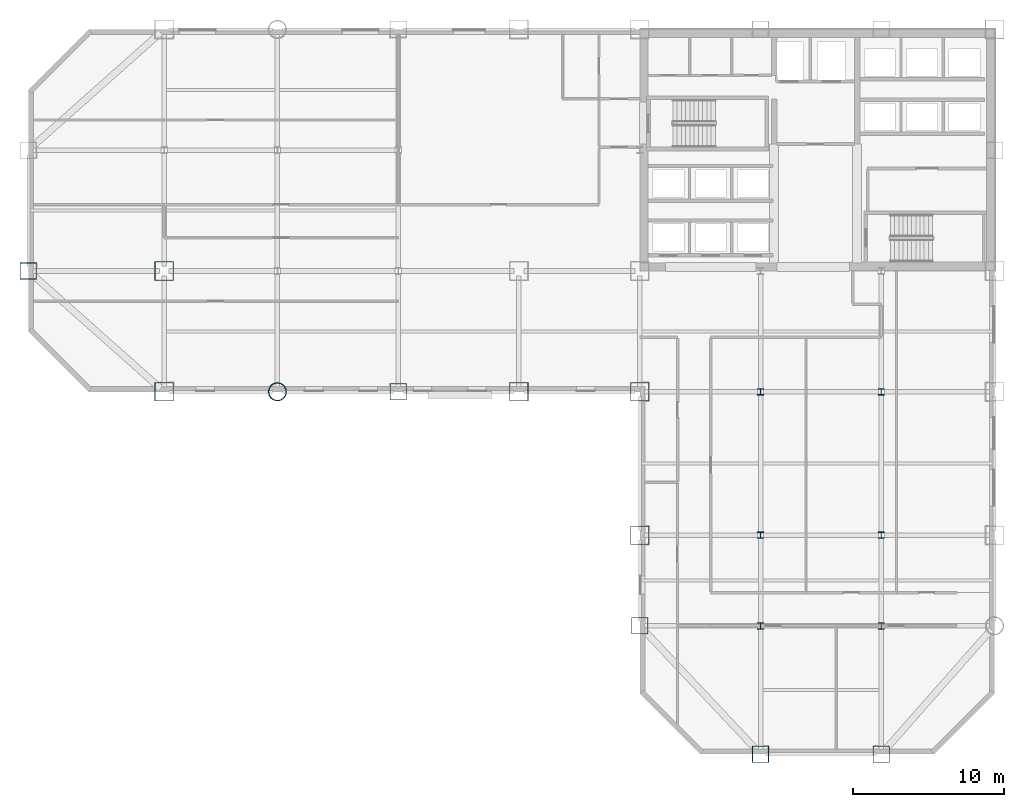
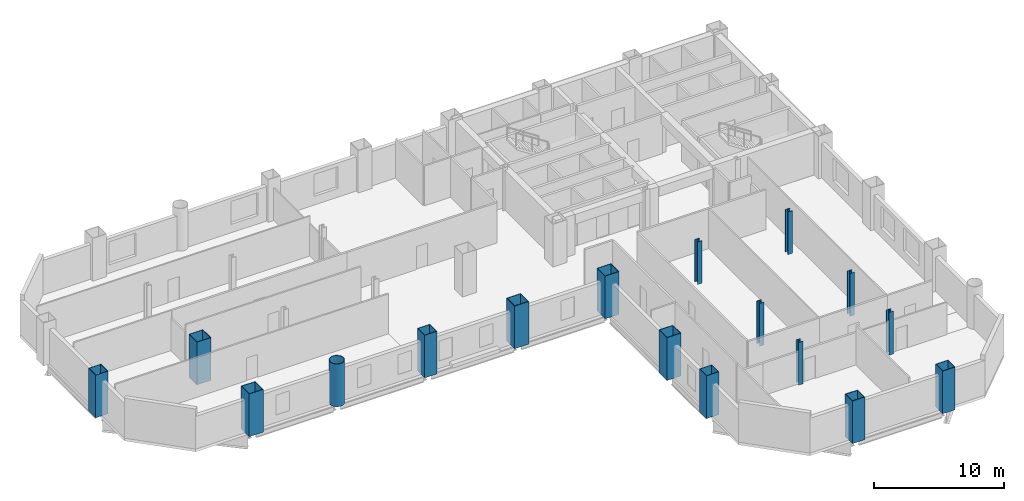
# One storey, part 1 of 9: 17 columns.
"""IFC4 building model written with IfcOpenShell, lengths in metres."""

from ifc_helpers import new_model, si_unit, direction, frame, origin, origin_2d, place, context, subcontext, project, spatial, hollow_rectangle, hollow_circle, i_section, extrude, material, material_profile, profile_set, type_object, element, save


model = new_model("IFC4")

# Units and contexts
model_context = context("Model", 3, precision=1e-05, world=origin(), true_north=direction((0.0, 1.0)))
body_context = subcontext(model_context, "Body", "Model", "MODEL_VIEW")
ifc_project = project(units=[si_unit("LENGTHUNIT", "METRE"), si_unit("AREAUNIT", "SQUARE_METRE"), si_unit("VOLUMEUNIT", "CUBIC_METRE"), si_unit("PLANEANGLEUNIT", "RADIAN"), si_unit("MASSUNIT", "GRAM", prefix="KILO")], contexts=[model_context])

# Site, building, storey
site_placement = place(None, origin())
site = spatial("IfcSite", under=ifc_project, at=site_placement, CompositionType="ELEMENT")
building_placement = place(site_placement, origin())
building = spatial("IfcBuilding", under=site, at=building_placement, Name="Qianrong Seaharbour Tower", CompositionType="ELEMENT")
storey_placement = place(building_placement, frame((0.0, 0.0, 72.199951171875)))
storey = spatial("IfcBuildingStorey", under=building, at=storey_placement, Name="L17", CompositionType="ELEMENT", Elevation=72.199951171875)

# Columns
ifc_material = material(Name="Structural steel SN490B", Category="steel")
ifc_material_profile_1 = material_profile(ifc_material, hollow_rectangle(XDim=1.25, YDim=1.25, WallThickness=0.044921875, at=origin_2d()), Name="BOX1250x1250x45")
ifc_profile_set_1 = profile_set([ifc_material_profile_1], Name="Structural steel SN490B")
column_type_1 = type_object("IfcColumnType", Name="COL-CFT-1250", PredefinedType="COLUMN", material=ifc_profile_set_1)
for number, where, z_axis, x_axis, name in (
    (1, (9.0, 28.0, 0.0), (0.0, 0.0, 1.0), (1.0, 0.0, 0.0), "L17 Column MC-2 at G2/GE"),
    (2, (9.0, 36.0, 0.0), (0.0, 0.0, 1.0), (1.0, 0.0, 0.0), "L17 Column MC-2 at G2/GF"),
    (3, (32.5, 28.0, 0.0), (0.0, 0.0, 1.0), (1.0, 0.0, 0.0), "L17 Column MC-2 at G5/GE"),
    (4, (40.5, 18.5, 0.0), (0.0, 0.0, 1.0), (1.0, 0.0, 0.0), "L17 Column MC-2 at G6/GD"),
    (5, (40.5, 28.0, 0.0), (0.0, 0.0, 1.0), (1.0, 0.0, 0.0), "L17 Column MC-2 at G6/GE"),
):
    element("IfcColumn", number, at=place(storey_placement, frame(where, z_axis=z_axis, x_axis=x_axis)), inside=storey, type_object=column_type_1, Name=name, PredefinedType="COLUMN", context=body_context, shape_type="SweptSolid", body=[
        extrude(hollow_rectangle(XDim=1.25, YDim=1.25, WallThickness=0.044921875, at=origin_2d()), origin(), (0.0, 0.0, 1.0), 4.0),
    ])
ifc_material_profile_2 = material_profile(ifc_material, hollow_circle(Radius=0.60009765625, WallThickness=0.0400390625, at=origin_2d()), Name="CHS1200x40")
ifc_profile_set_2 = profile_set([ifc_material_profile_2], Name="Structural steel SN490B")
column_type_2 = type_object("IfcColumnType", Name="COL-CHS-1200", PredefinedType="COLUMN", material=ifc_profile_set_2)
column_placement = place(storey_placement, frame((16.5, 28.0, 0.0), z_axis=(0.0, 0.0, 1.0), x_axis=(1.0, 0.0, 0.0)))
element("IfcColumn", 6, at=column_placement, inside=storey, type_object=column_type_2, Name="L17 Column CC-1 at G3/GE", PredefinedType="COLUMN", context=body_context, shape_type="SweptSolid", body=[
    extrude(hollow_circle(Radius=0.60009765625, WallThickness=0.0400390625, at=origin_2d()), origin(), (0.0, 0.0, 1.0), 4.0),
])
ifc_material_profile_3 = material_profile(ifc_material, i_section(OverallWidth=0.406982421875, OverallDepth=0.427978515625, WebThickness=0.02001953125, FlangeThickness=0.034912109375, FilletRadius=0.02197265625, at=origin_2d()), Name="H428x407x20x35")
ifc_profile_set_3 = profile_set([ifc_material_profile_3], Name="Structural steel SN490B")
column_type_3 = type_object("IfcColumnType", Name="COL-INT-H428", PredefinedType="COLUMN", material=ifc_profile_set_3)
for number, where, z_axis, x_axis, name in (
    (7, (48.5, 12.5, 0.0), (0.0, 0.0, 1.0), (1.0, 0.0, 0.0), "L17 Column IC-2 at G7/GC"),
    (8, (48.5, 18.5, 0.0), (0.0, 0.0, 1.0), (1.0, 0.0, 0.0), "L17 Column IC-2 at G7/GD"),
    (9, (48.5, 28.0, 0.0), (0.0, 0.0, 1.0), (1.0, 0.0, 0.0), "L17 Column IC-2 at G7/GE"),
    (10, (56.5, 12.5, 0.0), (0.0, 0.0, 1.0), (1.0, 0.0, 0.0), "L17 Column IC-2 at G8/GC"),
    (11, (56.5, 18.5, 0.0), (0.0, 0.0, 1.0), (1.0, 0.0, 0.0), "L17 Column IC-2 at G8/GD"),
    (12, (56.5, 28.0, 0.0), (0.0, 0.0, 1.0), (1.0, 0.0, 0.0), "L17 Column IC-2 at G8/GE"),
):
    element("IfcColumn", number, at=place(storey_placement, frame(where, z_axis=z_axis, x_axis=x_axis)), inside=storey, type_object=column_type_3, Name=name, PredefinedType="COLUMN", context=body_context, shape_type="SweptSolid", body=[
        extrude(i_section(OverallWidth=0.406982421875, OverallDepth=0.427978515625, WebThickness=0.02001953125, FlangeThickness=0.034912109375, FilletRadius=0.02197265625, at=origin_2d()), origin(), (0.0, 0.0, 1.0), 4.0),
    ])
ifc_material_profile_4 = material_profile(ifc_material, hollow_rectangle(XDim=1.10009765625, YDim=1.10009765625, WallThickness=0.0400390625, at=origin_2d()), Name="BOX1100x1100x40")
ifc_profile_set_4 = profile_set([ifc_material_profile_4], Name="Structural steel SN490B")
column_type_4 = type_object("IfcColumnType", Name="COL-PER-1100", PredefinedType="COLUMN", material=ifc_profile_set_4)
for number, where, z_axis, x_axis, name in (
    (13, (0.0, 36.0, 0.0), (0.0, 0.0, 1.0), (1.0, 0.0, 0.0), "L17 Column PC-1 at G1/GF"),
    (14, (24.5, 28.0, 0.0), (0.0, 0.0, 1.0), (1.0, 0.0, 0.0), "L17 Column PC-1 at G4/GE"),
    (15, (40.5, 12.5, 0.0), (0.0, 0.0, 1.0), (1.0, 0.0, 0.0), "L17 Column PC-1 at G6/GC"),
    (16, (48.5, 4.0, 0.0), (0.0, 0.0, 1.0), (1.0, 0.0, 0.0), "L17 Column PC-1 at G7/GB"),
    (17, (56.5, 4.0, 0.0), (0.0, 0.0, 1.0), (1.0, 0.0, 0.0), "L17 Column PC-1 at G8/GB"),
):
    element("IfcColumn", number, at=place(storey_placement, frame(where, z_axis=z_axis, x_axis=x_axis)), inside=storey, type_object=column_type_4, Name=name, PredefinedType="COLUMN", context=body_context, shape_type="SweptSolid", body=[
        extrude(hollow_rectangle(XDim=1.10009765625, YDim=1.10009765625, WallThickness=0.0400390625, at=origin_2d()), origin(), (0.0, 0.0, 1.0), 4.0),
    ])

save(model, "model.ifc")
